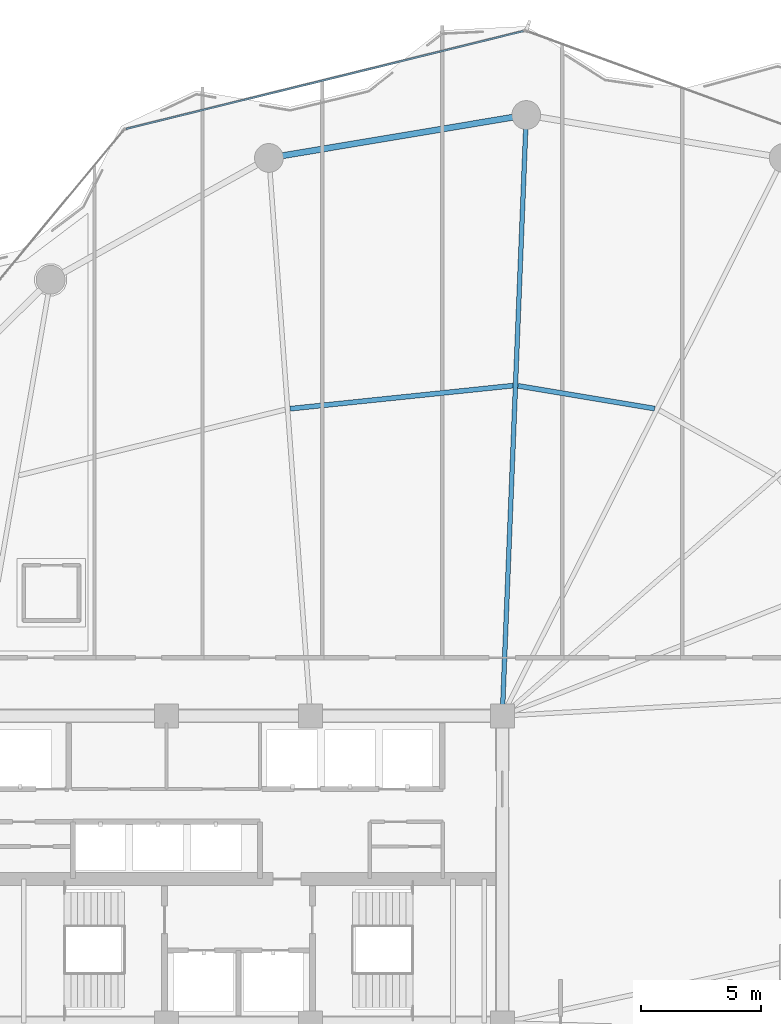
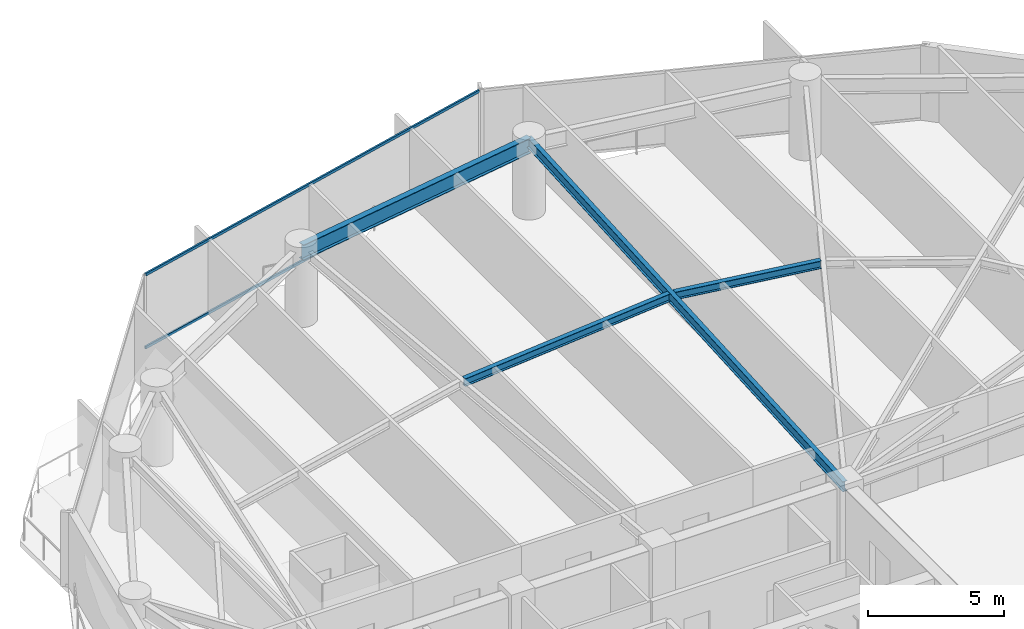
# One storey, part 18 of 28: 4 beams, 2 members, 1 element without a shape of its own.
"""IFC4 building model written with IfcOpenShell, lengths in metres."""

from ifc_helpers import new_model, si_unit, direction, frame, origin, origin_2d, place, context, subcontext, project, spatial, hollow_rectangle, i_section, extrude, material, layer, layer_set, material_profile, profile_set, type_object, element, aggregate, save


model = new_model("IFC4")

# Units and contexts
model_context = context("Model", 3, precision=1e-05, world=origin(), true_north=direction((0.0, 1.0)))
body_context = subcontext(model_context, "Body", "Model", "MODEL_VIEW")
ifc_project = project(units=[si_unit("LENGTHUNIT", "METRE"), si_unit("AREAUNIT", "SQUARE_METRE"), si_unit("VOLUMEUNIT", "CUBIC_METRE"), si_unit("PLANEANGLEUNIT", "RADIAN"), si_unit("MASSUNIT", "GRAM", prefix="KILO")], contexts=[model_context])

# Site, building, storey
site_placement = place(None, origin())
site = spatial("IfcSite", under=ifc_project, at=site_placement, CompositionType="ELEMENT")
building_placement = place(site_placement, origin())
building = spatial("IfcBuilding", under=site, at=building_placement, Name="Kazevale Care Tower and Concert Hall", CompositionType="ELEMENT")
storey_placement = place(building_placement, frame((0.0, 0.0, 135.0)))
storey = spatial("IfcBuildingStorey", under=building, at=storey_placement, Name="L35", CompositionType="ELEMENT", Elevation=135.0)

# Curtain wall, members
ifc_material_1 = material(Name="Aluminium 6063-T6 and Low-E Glass", Category="aluminium")
ifc_layer = layer(ifc_material_1, 0.179931640625)
ifc_layer_set = layer_set([ifc_layer], Name="Aluminium 6063-T6 and Low-E Glass")
curtain_wall_type = type_object("IfcCurtainWallType", Name="Convex Recessed Sunroom Curtain Wall CW-3", PredefinedType="NOTDEFINED", material=ifc_layer_set)
curtain_wall_placement = place(storey_placement, origin())
curtain_wall = element("IfcCurtainWall", 1, at=curtain_wall_placement, inside=storey, type_object=curtain_wall_type, Name="cw:L35:f15", PredefinedType="NOTDEFINED")
ifc_material_2 = material(Name="Aluminium 6063-T6", Category="aluminium")
ifc_material_profile_1 = material_profile(ifc_material_2, hollow_rectangle(XDim=0.074951171875, YDim=0.1201171875, WallThickness=0.00390625, at=origin_2d()), Name="ALU75x120x4")
ifc_profile_set_1 = profile_set([ifc_material_profile_1], Name="Aluminium 6063-T6")
member_type = type_object("IfcMemberType", Name="CW-3 Transom ALU75x120x4", PredefinedType="USERDEFINED", material=ifc_profile_set_1)
member_1_placement = place(storey_placement, frame((28.312744140625, 60.869873046875, 0.03759765625), z_axis=(0.970998321945, 0.239086299857, 0.0), x_axis=(-0.239086299857, 0.970998321945, 0.0)))
member_1 = element("IfcMember", 2, at=member_1_placement, type_object=member_type, Name="CW-3 transom 1.1", ObjectType="TRANSOM", PredefinedType="USERDEFINED", context=body_context, shape_type="SweptSolid", body=[
    extrude(hollow_rectangle(XDim=0.074951171875, YDim=0.1201171875, WallThickness=0.00390625, at=origin_2d()), origin(), (0.0, 0.0, 1.0), 17.061279296875),
])
member_2_placement = place(storey_placement, frame((28.312744140625, 60.869873046875, 3.322509765625), z_axis=(0.970998321945, 0.239086299857, 0.0), x_axis=(-0.239086299857, 0.970998321945, 0.0)))
member_2 = element("IfcMember", 3, at=member_2_placement, type_object=member_type, Name="CW-3 transom 1.2", ObjectType="TRANSOM", PredefinedType="USERDEFINED", context=body_context, shape_type="SweptSolid", body=[
    extrude(hollow_rectangle(XDim=0.074951171875, YDim=0.1201171875, WallThickness=0.00390625, at=origin_2d()), origin(), (0.0, 0.0, 1.0), 17.061279296875),
])
aggregate(curtain_wall, [member_1, member_2])

# Beams
ifc_material_3 = material(Name="Steel ASTM A572 Gr 50", Category="steel")
ifc_material_profile_2 = material_profile(ifc_material_3, i_section(OverallWidth=0.19091796875, OverallDepth=0.4599609375, WebThickness=0.010009765625, FlangeThickness=0.01611328125, at=origin_2d()), Name="W460x82")
ifc_profile_set_2 = profile_set([ifc_material_profile_2], Name="Steel ASTM A572 Gr 50")
beam_type_1 = type_object("IfcBeamType", Name="Radial Floor Beam W460x82", PredefinedType="BEAM", material=ifc_profile_set_2)
beam_1_placement = place(storey_placement, frame((44.0, 36.39990234375, 3.1298828125), z_axis=(0.039888311255, 0.99920414462, 0.0), x_axis=(-0.99920414462, 0.039888311255, 0.0)))
element("IfcBeam", 4, at=beam_1_placement, inside=storey, type_object=beam_type_1, Name="beam:L35:rad:05", PredefinedType="BEAM", context=body_context, shape_type="SweptSolid", body=[
    extrude(i_section(OverallWidth=0.19091796875, OverallDepth=0.4599609375, WebThickness=0.010009765625, FlangeThickness=0.01611328125, at=origin_2d()), origin(), (0.0, 0.0, 1.0), 25.070068359375),
])
ifc_material_profile_3 = material_profile(ifc_material_3, i_section(OverallWidth=0.205078125, OverallDepth=0.35400390625, WebThickness=0.009521484375, FlangeThickness=0.016845703125, at=origin_2d()), Name="W360x79")
ifc_profile_set_3 = profile_set([ifc_material_profile_3], Name="Steel ASTM A572 Gr 50")
beam_type_2 = type_object("IfcBeamType", Name="Secondary Floor Joist W360x79", PredefinedType="JOIST", material=ifc_profile_set_3)
beam_2_placement = place(storey_placement, frame((50.347900390625, 49.2099609375, 3.18310546875), z_axis=(-0.986366476547, 0.164563586324, 0.0), x_axis=(-0.164563586324, -0.986366476547, 0.0)))
element("IfcBeam", 5, at=beam_2_placement, inside=storey, type_object=beam_type_2, Name="beam:L35:joist:04", PredefinedType="JOIST", context=body_context, shape_type="SweptSolid", body=[
    extrude(i_section(OverallWidth=0.205078125, OverallDepth=0.35400390625, WebThickness=0.009521484375, FlangeThickness=0.016845703125, at=origin_2d()), origin(), (0.0, 0.0, 1.0), 5.7724609375),
])
beam_3_placement = place(storey_placement, frame((44.446044921875, 50.1669921875, 3.18310546875), z_axis=(-0.994674810104, -0.10306319491, 0.0), x_axis=(0.10306319491, -0.994674810104, 0.0)))
element("IfcBeam", 6, at=beam_3_placement, inside=storey, type_object=beam_type_2, Name="beam:L35:joist:05", PredefinedType="JOIST", context=body_context, shape_type="SweptSolid", body=[
    extrude(i_section(OverallWidth=0.205078125, OverallDepth=0.35400390625, WebThickness=0.009521484375, FlangeThickness=0.016845703125, at=origin_2d()), origin(), (0.0, 0.0, 1.0), 9.3427734375),
])
ifc_material_profile_4 = material_profile(ifc_material_3, i_section(OverallWidth=0.256103515625, OverallDepth=0.693115234375, WebThickness=0.014404296875, FlangeThickness=0.023681640625, at=origin_2d()), Name="W690x170")
ifc_profile_set_4 = profile_set([ifc_material_profile_4], Name="Steel ASTM A572 Gr 50")
beam_type_3 = type_object("IfcBeamType", Name="Waist Ring Beam W690x170", PredefinedType="BEAM", material=ifc_profile_set_4)
beam_4_placement = place(storey_placement, frame((45.0, 61.449951171875, 3.013427734375), z_axis=(-0.986368436187, -0.164551840139, 0.0), x_axis=(0.164551840139, -0.986368436187, 0.0)))
element("IfcBeam", 7, at=beam_4_placement, inside=storey, type_object=beam_type_3, Name="beam:L35:ring:05", PredefinedType="BEAM", context=body_context, shape_type="SweptSolid", body=[
    extrude(i_section(OverallWidth=0.256103515625, OverallDepth=0.693115234375, WebThickness=0.014404296875, FlangeThickness=0.023681640625, at=origin_2d()), origin(), (0.0, 0.0, 1.0), 10.878173828125),
])

save(model, "model.ifc")
